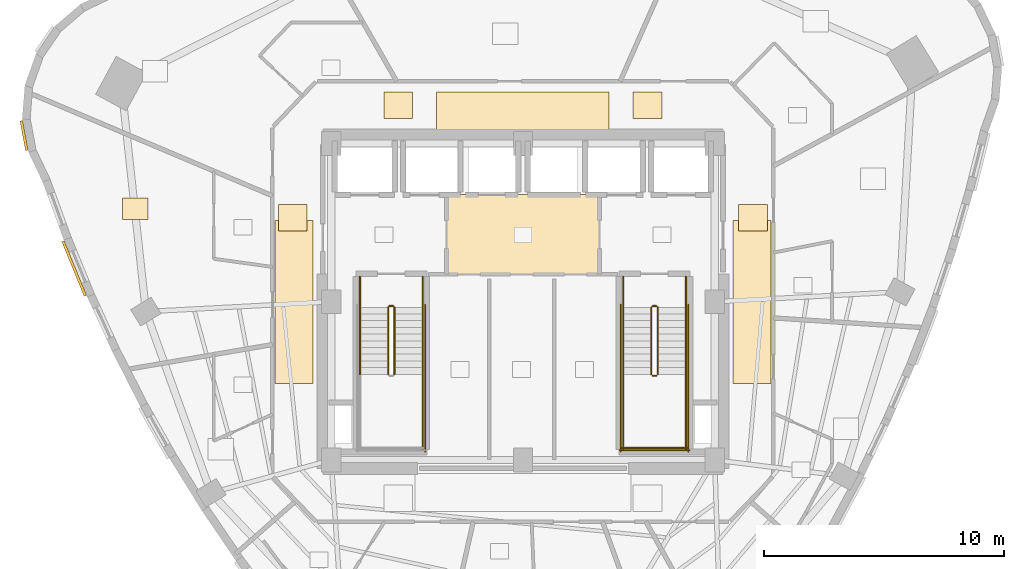
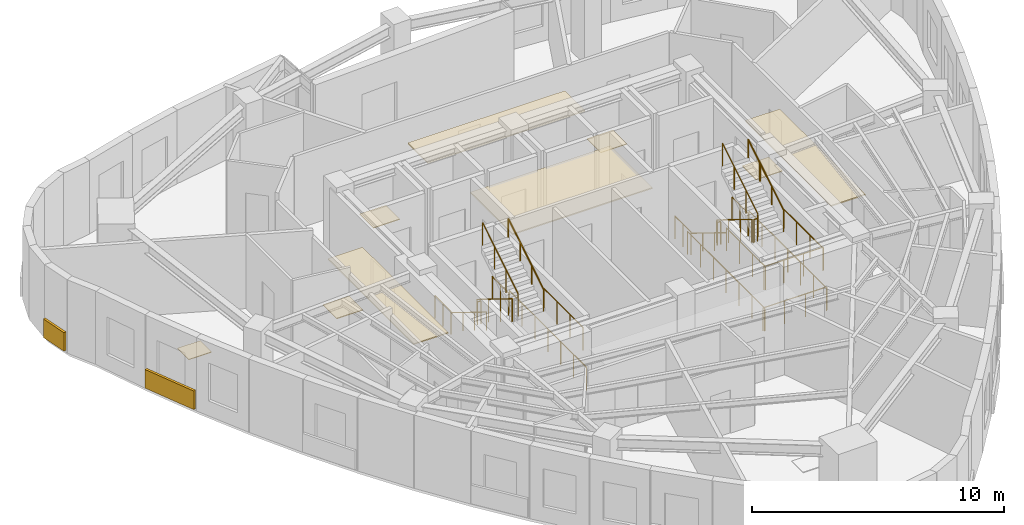
# One storey, part 10 of 11: 23 railings, 11 coverings.
"""IFC4 building model written with IfcOpenShell, lengths in metres."""

from ifc_helpers import new_model, si_unit, direction, frame, origin, origin_2d, place, context, subcontext, project, spatial, rectangle, circle, extrude, material, layer, layer_set, type_object, element, save


model = new_model("IFC4")

# Units and contexts
model_context = context("Model", 3, precision=1e-05, world=origin(), true_north=direction((0.0, 1.0)))
body_context = subcontext(model_context, "Body", "Model", "MODEL_VIEW")
ifc_project = project(units=[si_unit("LENGTHUNIT", "METRE"), si_unit("AREAUNIT", "SQUARE_METRE"), si_unit("VOLUMEUNIT", "CUBIC_METRE"), si_unit("PLANEANGLEUNIT", "RADIAN"), si_unit("MASSUNIT", "GRAM", prefix="KILO")], contexts=[model_context])

# Site, building, storey
site_placement = place(None, origin())
site = spatial("IfcSite", under=ifc_project, at=site_placement, CompositionType="ELEMENT")
building_placement = place(site_placement, origin())
building = spatial("IfcBuilding", under=site, at=building_placement, Name="Ndelora Gate Hotel", CompositionType="ELEMENT")
storey_placement = place(building_placement, frame((0.0, 0.0, 216.949951171875)))
storey = spatial("IfcBuildingStorey", under=building, at=storey_placement, Name="L54", CompositionType="ELEMENT", Elevation=216.949951171875)

# Coverings
ifc_material_1 = material(Name="Perforated Acoustic Gypsum Board", Category="gypsum")
ifc_layer_1 = layer(ifc_material_1, 0.054931640625)
ifc_layer_set_1 = layer_set([ifc_layer_1], Name="Perforated Acoustic Gypsum Board")
covering_type_1 = type_object("IfcCoveringType", Name="COV-CEIL-AC60", PredefinedType="CEILING", material=ifc_layer_set_1)
covering_1_placement = place(storey_placement, frame((0.0, 2.800048828125, 2.72265625), z_axis=(0.0, 0.0, 1.0), x_axis=(1.0, 0.0, 0.0)))
element("IfcCovering", 1, at=covering_1_placement, inside=storey, type_object=covering_type_1, Name="L54 Lift Lobby Acoustic Ceiling", PredefinedType="CEILING", context=body_context, shape_type="SweptSolid", body=[
    extrude(rectangle(XDim=6.39990234375, YDim=3.340087890625, at=origin_2d()), origin(), (0.0, 0.0, 1.0), 0.054931640625),
])
covering_2_placement = place(storey_placement, frame((0.0, 7.9599609375, 2.65234375), z_axis=(0.0, 0.0, 1.0), x_axis=(1.0, 0.0, 0.0)))
element("IfcCovering", 2, at=covering_2_placement, inside=storey, type_object=covering_type_1, Name="L54 Guest Corridor Acoustic Ceiling N", PredefinedType="CEILING", context=body_context, shape_type="SweptSolid", body=[
    extrude(rectangle(XDim=7.199951171875, YDim=1.580078125, at=origin_2d()), origin(), (0.0, 0.0, 1.0), 0.054931640625),
])
for number, where, z_axis, x_axis, name in (
    (3, (-9.550048828125, 0.0, 2.65234375), (0.0, 0.0, 1.0), (1.0, 0.0, 0.0), "L54 Guest Corridor Acoustic Ceiling W"),
    (4, (9.550048828125, 0.0, 2.65234375), (0.0, 0.0, 1.0), (1.0, 0.0, 0.0), "L54 Guest Corridor Acoustic Ceiling E"),
):
    element("IfcCovering", number, at=place(storey_placement, frame(where, z_axis=z_axis, x_axis=x_axis)), inside=storey, type_object=covering_type_1, Name=name, PredefinedType="CEILING", context=body_context, shape_type="SweptSolid", body=[
        extrude(rectangle(XDim=1.580078125, YDim=6.800048828125, at=origin_2d()), origin(), (0.0, 0.0, 1.0), 0.054931640625),
    ])
ifc_material_2 = material(Name="Terracotta Fired Clay Brick Slip Cladding", Category="masonry")
ifc_layer_2 = layer(ifc_material_2, 0.110107421875)
ifc_layer_set_2 = layer_set([ifc_layer_2], Name="Terracotta Fired Clay Brick Slip Cladding")
covering_type_2 = type_object("IfcCoveringType", Name="COV-CLAD-BRK", PredefinedType="CLADDING", material=ifc_layer_set_2)
covering_3_placement = place(storey_placement, frame((-20.812744140625, 6.932861328125, 0.10009765625), z_axis=(0.0, 0.0, 1.0), x_axis=(-0.182235525492, 0.983254907564, 0.0)))
element("IfcCovering", 5, at=covering_3_placement, inside=storey, type_object=covering_type_2, Name="L54 Rounded-Corner Brick Cladding Band 7", PredefinedType="CLADDING", context=body_context, shape_type="SweptSolid", body=[
    extrude(rectangle(XDim=1.257080078125, YDim=0.110107421875, at=origin_2d()), origin(), (0.0, 0.0, 1.0), 0.89990234375),
])
covering_4_placement = place(storey_placement, frame((-18.722900390625, 1.38720703125, 0.10009765625), z_axis=(0.0, 0.0, 1.0), x_axis=(-0.379617633307, 0.925143476701, 0.0)))
element("IfcCovering", 6, at=covering_4_placement, inside=storey, type_object=covering_type_2, Name="L54 Rounded-Corner Brick Cladding Band 10", PredefinedType="CLADDING", context=body_context, shape_type="SweptSolid", body=[
    extrude(rectangle(XDim=2.4599609375, YDim=0.110107421875, at=origin_2d()), origin(), (0.0, 0.0, 1.0), 0.89990234375),
])
ifc_material_3 = material(Name="Engineered Highland Oak Parquet", Category="wood")
ifc_layer_3 = layer(ifc_material_3, 0.030029296875)
ifc_layer_set_3 = layer_set([ifc_layer_3], Name="Engineered Highland Oak Parquet")
covering_type_3 = type_object("IfcCoveringType", Name="COV-FLR-PARQ", PredefinedType="FLOORING", material=ifc_layer_set_3)
covering_5_placement = place(storey_placement, frame((-16.17578125, 3.88134765625, 0.0), z_axis=(0.0, 0.0, 1.0), x_axis=(1.0, 0.0, 0.0)))
element("IfcCovering", 7, at=covering_5_placement, inside=storey, type_object=covering_type_3, Name="L54 Executive Sky Suite 5705 Oak Parquet Flooring", PredefinedType="FLOORING", context=body_context, shape_type="SweptSolid", body=[
    extrude(rectangle(XDim=1.050048828125, YDim=0.89990234375, at=origin_2d()), origin(), (0.0, 0.0, 1.0), 0.030029296875),
])
ifc_material_4 = material(Name="Polished Highland Stone Terrazzo", Category="masonry")
ifc_layer_4 = layer(ifc_material_4, 0.034912109375)
ifc_layer_set_4 = layer_set([ifc_layer_4], Name="Polished Highland Stone Terrazzo")
covering_type_4 = type_object("IfcCoveringType", Name="COV-FLR-TERZ", PredefinedType="FLOORING", material=ifc_layer_set_4)
for number, where, z_axis, x_axis, name in (
    (8, (-5.199951171875, 8.199951171875, 0.0), (0.0, 0.0, 1.0), (1.0, 0.0, 0.0), "L54 Corridor Threshold Terrazzo Inlay NW"),
    (9, (5.199951171875, 8.199951171875, 0.0), (0.0, 0.0, 1.0), (1.0, 0.0, 0.0), "L54 Corridor Threshold Terrazzo Inlay NE"),
    (10, (-9.60009765625, 3.5, 0.0), (0.0, 0.0, 1.0), (1.0, 0.0, 0.0), "L54 Corridor Threshold Terrazzo Inlay W"),
    (11, (9.60009765625, 3.5, 0.0), (0.0, 0.0, 1.0), (1.0, 0.0, 0.0), "L54 Corridor Threshold Terrazzo Inlay E"),
):
    element("IfcCovering", number, at=place(storey_placement, frame(where, z_axis=z_axis, x_axis=x_axis)), inside=storey, type_object=covering_type_4, Name=name, PredefinedType="FLOORING", context=body_context, shape_type="SweptSolid", body=[
        extrude(rectangle(XDim=1.199951171875, YDim=1.10009765625, at=origin_2d()), origin(), (0.0, 0.0, 1.0), 0.034912109375),
    ])

# Railings
ifc_material_5 = material(Name="Painted Galvanized Steel Balustrade", Category="steel")
ifc_layer_5 = layer(ifc_material_5, 0.06005859375)
ifc_layer_set_5 = layer_set([ifc_layer_5], Name="Painted Galvanized Steel Balustrade")
railing_type_1 = type_object("IfcRailingType", Name="RL-STAIR-GD", PredefinedType="GUARDRAIL", material=ifc_layer_set_5)
railing_1_placement = place(storey_placement, frame((-5.6201171875, -0.22998046875, 0.1728515625)))
element("IfcRailing", 12, at=railing_1_placement, inside=storey, type_object=railing_type_1, Name="L54 ST4 stair guard 1", PredefinedType="GUARDRAIL", context=body_context, shape_type="SweptSolid", body=[
    extrude(circle(Radius=0.02392578125, at=origin_2d()), frame((0.0, 0.0, 1.10595703125), z_axis=(0.0, -0.851089632645, 0.525020415988), x_axis=(1.0, 0.0, 0.0)), (0.0, 0.0, 1.0), 3.2900390625),
    extrude(circle(Radius=0.02099609375, at=origin_2d()), origin(), (0.0, 0.0, 1.0), 1.081787109375),
    extrude(circle(Radius=0.02099609375, at=origin_2d()), frame((0.0, -0.933349609375, 0.57568359375)), (0.0, 0.0, 1.0), 1.081787109375),
    extrude(circle(Radius=0.02099609375, at=origin_2d()), frame((0.0, -1.86669921875, 1.151611328125)), (0.0, 0.0, 1.0), 1.081787109375),
    extrude(circle(Radius=0.02099609375, at=origin_2d()), frame((0.0, -2.800048828125, 1.727294921875)), (0.0, 0.0, 1.0), 1.081787109375),
])
railing_2_placement = place(storey_placement, frame((-4.179931640625, -3.030029296875, 1.900146484375)))
element("IfcRailing", 13, at=railing_2_placement, inside=storey, type_object=railing_type_1, Name="L54 ST4 stair guard 4", PredefinedType="GUARDRAIL", context=body_context, shape_type="SweptSolid", body=[
    extrude(circle(Radius=0.02392578125, at=origin_2d()), frame((0.0, 0.0, 1.10595703125), z_axis=(0.0, -1.0, 0.0), x_axis=(1.0, 0.0, 0.0)), (0.0, 0.0, 1.0), 3.119873046875),
    extrude(circle(Radius=0.02099609375, at=origin_2d()), origin(), (0.0, 0.0, 1.0), 1.081787109375),
    extrude(circle(Radius=0.02099609375, at=origin_2d()), frame((0.0, -1.0400390625, 0.0)), (0.0, 0.0, 1.0), 1.081787109375),
    extrude(circle(Radius=0.02099609375, at=origin_2d()), frame((0.0, -2.079833984375, 0.0)), (0.0, 0.0, 1.0), 1.081787109375),
    extrude(circle(Radius=0.02099609375, at=origin_2d()), frame((0.0, -3.119873046875, 0.0)), (0.0, 0.0, 1.0), 1.081787109375),
])
railing_3_placement = place(storey_placement, frame((-5.360107421875, -3.030029296875, 2.07275390625)))
element("IfcRailing", 14, at=railing_3_placement, inside=storey, type_object=railing_type_1, Name="L54 ST4 stair guard 6", PredefinedType="GUARDRAIL", context=body_context, shape_type="SweptSolid", body=[
    extrude(circle(Radius=0.02392578125, at=origin_2d()), frame((0.0, 0.0, 1.10595703125), z_axis=(0.0, 0.851089632645, 0.525020415988), x_axis=(-1.0, 0.0, 0.0)), (0.0, 0.0, 1.0), 3.2900390625),
    extrude(circle(Radius=0.02099609375, at=origin_2d()), origin(), (0.0, 0.0, 1.0), 1.081787109375),
    extrude(circle(Radius=0.02099609375, at=origin_2d()), frame((0.0, 0.933349609375, 0.57568359375)), (0.0, 0.0, 1.0), 1.081787109375),
    extrude(circle(Radius=0.02099609375, at=origin_2d()), frame((0.0, 1.86669921875, 1.151611328125)), (0.0, 0.0, 1.0), 1.081787109375),
    extrude(circle(Radius=0.02099609375, at=origin_2d()), frame((0.0, 2.800048828125, 1.727294921875)), (0.0, 0.0, 1.0), 1.081787109375),
])
railing_4_placement = place(storey_placement, frame((-5.570068359375, -0.179931640625, 0.0)))
element("IfcRailing", 15, at=railing_4_placement, inside=storey, type_object=railing_type_1, Name="L54 ST4 stair guard 7", PredefinedType="GUARDRAIL", context=body_context, shape_type="SweptSolid", body=[
    extrude(circle(Radius=0.02392578125, at=origin_2d()), frame((0.0, 0.0, 1.10595703125), z_axis=(1.0, 0.0, 0.0), x_axis=(0.0, 1.0, 0.0)), (0.0, 0.0, 1.0), 0.16015625),
    extrude(circle(Radius=0.02099609375, at=origin_2d()), origin(), (0.0, 0.0, 1.0), 1.081787109375),
    extrude(circle(Radius=0.02099609375, at=origin_2d()), frame((0.16015625, 0.0, 0.0)), (0.0, 0.0, 1.0), 1.081787109375),
])
for number, where, name in (
    (16, (-6.800048828125, 1.050048828125, 0.0), "L54 ST4 stair guard 8"),
    (17, (-4.179931640625, 1.050048828125, 0.0), "L54 ST4 stair guard 9"),
):
    element("IfcRailing", number, at=place(storey_placement, frame(where)), inside=storey, type_object=railing_type_1, Name=name, PredefinedType="GUARDRAIL", context=body_context, shape_type="SweptSolid", body=[
        extrude(circle(Radius=0.02392578125, at=origin_2d()), frame((0.0, 0.0, 1.10595703125), z_axis=(0.0, -1.0, 0.0), x_axis=(1.0, 0.0, 0.0)), (0.0, 0.0, 1.0), 1.280029296875),
        extrude(circle(Radius=0.02099609375, at=origin_2d()), origin(), (0.0, 0.0, 1.0), 1.081787109375),
        extrude(circle(Radius=0.02099609375, at=origin_2d()), frame((0.0, -0.64013671875, 0.0)), (0.0, 0.0, 1.0), 1.081787109375),
        extrude(circle(Radius=0.02099609375, at=origin_2d()), frame((0.0, -1.280029296875, 0.0)), (0.0, 0.0, 1.0), 1.081787109375),
    ])
railing_5_placement = place(storey_placement, frame((-4.080078125, -0.1298828125, 0.0)))
element("IfcRailing", 18, at=railing_5_placement, inside=storey, type_object=railing_type_1, Name="L54 ST4 stair guard 11", PredefinedType="GUARDRAIL", context=body_context, shape_type="SweptSolid", body=[
    extrude(circle(Radius=0.02392578125, at=origin_2d()), frame((0.0, 0.0, 1.10595703125), z_axis=(0.0, -1.0, 0.0), x_axis=(1.0, 0.0, 0.0)), (0.0, 0.0, 1.0), 6.1201171875),
    extrude(circle(Radius=0.02099609375, at=origin_2d()), origin(), (0.0, 0.0, 1.0), 1.081787109375),
    extrude(circle(Radius=0.02099609375, at=origin_2d()), frame((0.0, -1.02001953125, 0.0)), (0.0, 0.0, 1.0), 1.081787109375),
    extrude(circle(Radius=0.02099609375, at=origin_2d()), frame((0.0, -2.0400390625, 0.0)), (0.0, 0.0, 1.0), 1.081787109375),
    extrude(circle(Radius=0.02099609375, at=origin_2d()), frame((0.0, -3.06005859375, 0.0)), (0.0, 0.0, 1.0), 1.081787109375),
    extrude(circle(Radius=0.02099609375, at=origin_2d()), frame((0.0, -4.080078125, 0.0)), (0.0, 0.0, 1.0), 1.081787109375),
    extrude(circle(Radius=0.02099609375, at=origin_2d()), frame((0.0, -5.10009765625, 0.0)), (0.0, 0.0, 1.0), 1.081787109375),
    extrude(circle(Radius=0.02099609375, at=origin_2d()), frame((0.0, -6.1201171875, 0.0)), (0.0, 0.0, 1.0), 1.081787109375),
])
railing_6_placement = place(storey_placement, frame((5.360107421875, -0.22998046875, 0.1728515625)))
element("IfcRailing", 19, at=railing_6_placement, inside=storey, type_object=railing_type_1, Name="L54 ST5 stair guard 1", PredefinedType="GUARDRAIL", context=body_context, shape_type="SweptSolid", body=[
    extrude(circle(Radius=0.02392578125, at=origin_2d()), frame((0.0, 0.0, 1.10595703125), z_axis=(0.0, -0.851089632645, 0.525020415988), x_axis=(1.0, 0.0, 0.0)), (0.0, 0.0, 1.0), 3.2900390625),
    extrude(circle(Radius=0.02099609375, at=origin_2d()), origin(), (0.0, 0.0, 1.0), 1.081787109375),
    extrude(circle(Radius=0.02099609375, at=origin_2d()), frame((0.0, -0.933349609375, 0.57568359375)), (0.0, 0.0, 1.0), 1.081787109375),
    extrude(circle(Radius=0.02099609375, at=origin_2d()), frame((0.0, -1.86669921875, 1.151611328125)), (0.0, 0.0, 1.0), 1.081787109375),
    extrude(circle(Radius=0.02099609375, at=origin_2d()), frame((0.0, -2.800048828125, 1.727294921875)), (0.0, 0.0, 1.0), 1.081787109375),
])
railing_7_placement = place(storey_placement, frame((5.409912109375, -3.080078125, 1.900146484375)))
element("IfcRailing", 20, at=railing_7_placement, inside=storey, type_object=railing_type_1, Name="L54 ST5 stair guard 2", PredefinedType="GUARDRAIL", context=body_context, shape_type="SweptSolid", body=[
    extrude(circle(Radius=0.02392578125, at=origin_2d()), frame((0.0, 0.0, 1.10595703125), z_axis=(1.0, 0.0, 0.0), x_axis=(0.0, 1.0, 0.0)), (0.0, 0.0, 1.0), 0.16015625),
    extrude(circle(Radius=0.02099609375, at=origin_2d()), origin(), (0.0, 0.0, 1.0), 1.081787109375),
    extrude(circle(Radius=0.02099609375, at=origin_2d()), frame((0.16015625, 0.0, 0.0)), (0.0, 0.0, 1.0), 1.081787109375),
])
for number, where, name in (
    (21, (4.179931640625, -3.030029296875, 1.900146484375), "L54 ST5 stair guard 3"),
    (22, (6.800048828125, -3.030029296875, 1.900146484375), "L54 ST5 stair guard 4"),
):
    element("IfcRailing", number, at=place(storey_placement, frame(where)), inside=storey, type_object=railing_type_1, Name=name, PredefinedType="GUARDRAIL", context=body_context, shape_type="SweptSolid", body=[
        extrude(circle(Radius=0.02392578125, at=origin_2d()), frame((0.0, 0.0, 1.10595703125), z_axis=(0.0, -1.0, 0.0), x_axis=(1.0, 0.0, 0.0)), (0.0, 0.0, 1.0), 3.119873046875),
        extrude(circle(Radius=0.02099609375, at=origin_2d()), origin(), (0.0, 0.0, 1.0), 1.081787109375),
        extrude(circle(Radius=0.02099609375, at=origin_2d()), frame((0.0, -1.0400390625, 0.0)), (0.0, 0.0, 1.0), 1.081787109375),
        extrude(circle(Radius=0.02099609375, at=origin_2d()), frame((0.0, -2.079833984375, 0.0)), (0.0, 0.0, 1.0), 1.081787109375),
        extrude(circle(Radius=0.02099609375, at=origin_2d()), frame((0.0, -3.119873046875, 0.0)), (0.0, 0.0, 1.0), 1.081787109375),
    ])
railing_8_placement = place(storey_placement, frame((4.1298828125, -6.10009765625, 1.900146484375)))
element("IfcRailing", 23, at=railing_8_placement, inside=storey, type_object=railing_type_1, Name="L54 ST5 stair guard 5", PredefinedType="GUARDRAIL", context=body_context, shape_type="SweptSolid", body=[
    extrude(circle(Radius=0.02392578125, at=origin_2d()), frame((0.0, 0.0, 1.10595703125), z_axis=(1.0, 0.0, 0.0), x_axis=(0.0, 1.0, 0.0)), (0.0, 0.0, 1.0), 2.72021484375),
    extrude(circle(Radius=0.02099609375, at=origin_2d()), origin(), (0.0, 0.0, 1.0), 1.081787109375),
    extrude(circle(Radius=0.02099609375, at=origin_2d()), frame((0.90673828125, 0.0, 0.0)), (0.0, 0.0, 1.0), 1.081787109375),
    extrude(circle(Radius=0.02099609375, at=origin_2d()), frame((1.8134765625, 0.0, 0.0)), (0.0, 0.0, 1.0), 1.081787109375),
    extrude(circle(Radius=0.02099609375, at=origin_2d()), frame((2.72021484375, 0.0, 0.0)), (0.0, 0.0, 1.0), 1.081787109375),
])
railing_9_placement = place(storey_placement, frame((5.6201171875, -3.030029296875, 2.07275390625)))
element("IfcRailing", 24, at=railing_9_placement, inside=storey, type_object=railing_type_1, Name="L54 ST5 stair guard 6", PredefinedType="GUARDRAIL", context=body_context, shape_type="SweptSolid", body=[
    extrude(circle(Radius=0.02392578125, at=origin_2d()), frame((0.0, 0.0, 1.10595703125), z_axis=(0.0, 0.851089632645, 0.525020415988), x_axis=(-1.0, 0.0, 0.0)), (0.0, 0.0, 1.0), 3.2900390625),
    extrude(circle(Radius=0.02099609375, at=origin_2d()), origin(), (0.0, 0.0, 1.0), 1.081787109375),
    extrude(circle(Radius=0.02099609375, at=origin_2d()), frame((0.0, 0.933349609375, 0.57568359375)), (0.0, 0.0, 1.0), 1.081787109375),
    extrude(circle(Radius=0.02099609375, at=origin_2d()), frame((0.0, 1.86669921875, 1.151611328125)), (0.0, 0.0, 1.0), 1.081787109375),
    extrude(circle(Radius=0.02099609375, at=origin_2d()), frame((0.0, 2.800048828125, 1.727294921875)), (0.0, 0.0, 1.0), 1.081787109375),
])
railing_10_placement = place(storey_placement, frame((5.409912109375, -0.179931640625, 0.0)))
element("IfcRailing", 25, at=railing_10_placement, inside=storey, type_object=railing_type_1, Name="L54 ST5 stair guard 7", PredefinedType="GUARDRAIL", context=body_context, shape_type="SweptSolid", body=[
    extrude(circle(Radius=0.02392578125, at=origin_2d()), frame((0.0, 0.0, 1.10595703125), z_axis=(1.0, 0.0, 0.0), x_axis=(0.0, 1.0, 0.0)), (0.0, 0.0, 1.0), 0.16015625),
    extrude(circle(Radius=0.02099609375, at=origin_2d()), origin(), (0.0, 0.0, 1.0), 1.081787109375),
    extrude(circle(Radius=0.02099609375, at=origin_2d()), frame((0.16015625, 0.0, 0.0)), (0.0, 0.0, 1.0), 1.081787109375),
])
for number, where, name in (
    (26, (4.179931640625, 1.050048828125, 0.0), "L54 ST5 stair guard 8"),
    (27, (6.800048828125, 1.050048828125, 0.0), "L54 ST5 stair guard 9"),
):
    element("IfcRailing", number, at=place(storey_placement, frame(where)), inside=storey, type_object=railing_type_1, Name=name, PredefinedType="GUARDRAIL", context=body_context, shape_type="SweptSolid", body=[
        extrude(circle(Radius=0.02392578125, at=origin_2d()), frame((0.0, 0.0, 1.10595703125), z_axis=(0.0, -1.0, 0.0), x_axis=(1.0, 0.0, 0.0)), (0.0, 0.0, 1.0), 1.280029296875),
        extrude(circle(Radius=0.02099609375, at=origin_2d()), origin(), (0.0, 0.0, 1.0), 1.081787109375),
        extrude(circle(Radius=0.02099609375, at=origin_2d()), frame((0.0, -0.64013671875, 0.0)), (0.0, 0.0, 1.0), 1.081787109375),
        extrude(circle(Radius=0.02099609375, at=origin_2d()), frame((0.0, -1.280029296875, 0.0)), (0.0, 0.0, 1.0), 1.081787109375),
    ])
for number, where, name in (
    (28, (4.080078125, -0.1298828125, 0.0), "L54 ST5 stair guard 10"),
    (29, (6.89990234375, -0.1298828125, 0.0), "L54 ST5 stair guard 11"),
):
    element("IfcRailing", number, at=place(storey_placement, frame(where)), inside=storey, type_object=railing_type_1, Name=name, PredefinedType="GUARDRAIL", context=body_context, shape_type="SweptSolid", body=[
        extrude(circle(Radius=0.02392578125, at=origin_2d()), frame((0.0, 0.0, 1.10595703125), z_axis=(0.0, -1.0, 0.0), x_axis=(1.0, 0.0, 0.0)), (0.0, 0.0, 1.0), 6.1201171875),
        extrude(circle(Radius=0.02099609375, at=origin_2d()), origin(), (0.0, 0.0, 1.0), 1.081787109375),
        extrude(circle(Radius=0.02099609375, at=origin_2d()), frame((0.0, -1.02001953125, 0.0)), (0.0, 0.0, 1.0), 1.081787109375),
        extrude(circle(Radius=0.02099609375, at=origin_2d()), frame((0.0, -2.0400390625, 0.0)), (0.0, 0.0, 1.0), 1.081787109375),
        extrude(circle(Radius=0.02099609375, at=origin_2d()), frame((0.0, -3.06005859375, 0.0)), (0.0, 0.0, 1.0), 1.081787109375),
        extrude(circle(Radius=0.02099609375, at=origin_2d()), frame((0.0, -4.080078125, 0.0)), (0.0, 0.0, 1.0), 1.081787109375),
        extrude(circle(Radius=0.02099609375, at=origin_2d()), frame((0.0, -5.10009765625, 0.0)), (0.0, 0.0, 1.0), 1.081787109375),
        extrude(circle(Radius=0.02099609375, at=origin_2d()), frame((0.0, -6.1201171875, 0.0)), (0.0, 0.0, 1.0), 1.081787109375),
    ])
railing_11_placement = place(storey_placement, frame((4.030029296875, -6.199951171875, 0.0)))
element("IfcRailing", 30, at=railing_11_placement, inside=storey, type_object=railing_type_1, Name="L54 ST5 stair guard 12", PredefinedType="GUARDRAIL", context=body_context, shape_type="SweptSolid", body=[
    extrude(circle(Radius=0.02392578125, at=origin_2d()), frame((0.0, 0.0, 1.10595703125), z_axis=(1.0, 0.0, 0.0), x_axis=(0.0, 1.0, 0.0)), (0.0, 0.0, 1.0), 2.919921875),
    extrude(circle(Radius=0.02099609375, at=origin_2d()), origin(), (0.0, 0.0, 1.0), 1.081787109375),
    extrude(circle(Radius=0.02099609375, at=origin_2d()), frame((0.973388671875, 0.0, 0.0)), (0.0, 0.0, 1.0), 1.081787109375),
    extrude(circle(Radius=0.02099609375, at=origin_2d()), frame((1.946533203125, 0.0, 0.0)), (0.0, 0.0, 1.0), 1.081787109375),
    extrude(circle(Radius=0.02099609375, at=origin_2d()), frame((2.919921875, 0.0, 0.0)), (0.0, 0.0, 1.0), 1.081787109375),
])
ifc_material_6 = material(Name="Brushed Stainless Steel 316", Category="steel")
ifc_layer_6 = layer(ifc_material_6, 0.050048828125)
ifc_layer_set_6 = layer_set([ifc_layer_6], Name="Brushed Stainless Steel 316")
railing_type_2 = type_object("IfcRailingType", Name="RL-STAIR-HR", PredefinedType="HANDRAIL", material=ifc_layer_set_6)
railing_12_placement = place(storey_placement, frame((-6.800048828125, -0.22998046875, 0.1728515625)))
element("IfcRailing", 31, at=railing_12_placement, inside=storey, type_object=railing_type_2, Name="L54 ST4 stair handrail 1", PredefinedType="HANDRAIL", context=body_context, shape_type="SweptSolid", body=[
    extrude(circle(Radius=0.02392578125, at=origin_2d()), frame((0.0, 0.0, 0.8759765625), z_axis=(0.0, -0.851089632645, 0.525020415988), x_axis=(1.0, 0.0, 0.0)), (0.0, 0.0, 1.0), 3.2900390625),
    extrude(circle(Radius=0.02099609375, at=origin_2d()), origin(), (0.0, 0.0, 1.0), 0.851806640625),
    extrude(circle(Radius=0.02099609375, at=origin_2d()), frame((0.0, -0.933349609375, 0.57568359375)), (0.0, 0.0, 1.0), 0.851806640625),
    extrude(circle(Radius=0.02099609375, at=origin_2d()), frame((0.0, -1.86669921875, 1.151611328125)), (0.0, 0.0, 1.0), 0.851806640625),
    extrude(circle(Radius=0.02099609375, at=origin_2d()), frame((0.0, -2.800048828125, 1.727294921875)), (0.0, 0.0, 1.0), 0.851806640625),
])
railing_13_placement = place(storey_placement, frame((-4.179931640625, -3.030029296875, 2.07275390625)))
element("IfcRailing", 32, at=railing_13_placement, inside=storey, type_object=railing_type_2, Name="L54 ST4 stair handrail 2", PredefinedType="HANDRAIL", context=body_context, shape_type="SweptSolid", body=[
    extrude(circle(Radius=0.02392578125, at=origin_2d()), frame((0.0, 0.0, 0.8759765625), z_axis=(0.0, 0.851089632645, 0.525020415988), x_axis=(-1.0, 0.0, 0.0)), (0.0, 0.0, 1.0), 3.2900390625),
    extrude(circle(Radius=0.02099609375, at=origin_2d()), origin(), (0.0, 0.0, 1.0), 0.851806640625),
    extrude(circle(Radius=0.02099609375, at=origin_2d()), frame((0.0, 0.933349609375, 0.57568359375)), (0.0, 0.0, 1.0), 0.851806640625),
    extrude(circle(Radius=0.02099609375, at=origin_2d()), frame((0.0, 1.86669921875, 1.151611328125)), (0.0, 0.0, 1.0), 0.851806640625),
    extrude(circle(Radius=0.02099609375, at=origin_2d()), frame((0.0, 2.800048828125, 1.727294921875)), (0.0, 0.0, 1.0), 0.851806640625),
])
railing_14_placement = place(storey_placement, frame((4.179931640625, -0.22998046875, 0.1728515625)))
element("IfcRailing", 33, at=railing_14_placement, inside=storey, type_object=railing_type_2, Name="L54 ST5 stair handrail 1", PredefinedType="HANDRAIL", context=body_context, shape_type="SweptSolid", body=[
    extrude(circle(Radius=0.02392578125, at=origin_2d()), frame((0.0, 0.0, 0.8759765625), z_axis=(0.0, -0.851089632645, 0.525020415988), x_axis=(1.0, 0.0, 0.0)), (0.0, 0.0, 1.0), 3.2900390625),
    extrude(circle(Radius=0.02099609375, at=origin_2d()), origin(), (0.0, 0.0, 1.0), 0.851806640625),
    extrude(circle(Radius=0.02099609375, at=origin_2d()), frame((0.0, -0.933349609375, 0.57568359375)), (0.0, 0.0, 1.0), 0.851806640625),
    extrude(circle(Radius=0.02099609375, at=origin_2d()), frame((0.0, -1.86669921875, 1.151611328125)), (0.0, 0.0, 1.0), 0.851806640625),
    extrude(circle(Radius=0.02099609375, at=origin_2d()), frame((0.0, -2.800048828125, 1.727294921875)), (0.0, 0.0, 1.0), 0.851806640625),
])
railing_15_placement = place(storey_placement, frame((6.800048828125, -3.030029296875, 2.07275390625)))
element("IfcRailing", 34, at=railing_15_placement, inside=storey, type_object=railing_type_2, Name="L54 ST5 stair handrail 2", PredefinedType="HANDRAIL", context=body_context, shape_type="SweptSolid", body=[
    extrude(circle(Radius=0.02392578125, at=origin_2d()), frame((0.0, 0.0, 0.8759765625), z_axis=(0.0, 0.851089632645, 0.525020415988), x_axis=(-1.0, 0.0, 0.0)), (0.0, 0.0, 1.0), 3.2900390625),
    extrude(circle(Radius=0.02099609375, at=origin_2d()), origin(), (0.0, 0.0, 1.0), 0.851806640625),
    extrude(circle(Radius=0.02099609375, at=origin_2d()), frame((0.0, 0.933349609375, 0.57568359375)), (0.0, 0.0, 1.0), 0.851806640625),
    extrude(circle(Radius=0.02099609375, at=origin_2d()), frame((0.0, 1.86669921875, 1.151611328125)), (0.0, 0.0, 1.0), 0.851806640625),
    extrude(circle(Radius=0.02099609375, at=origin_2d()), frame((0.0, 2.800048828125, 1.727294921875)), (0.0, 0.0, 1.0), 0.851806640625),
])

save(model, "model.ifc")
